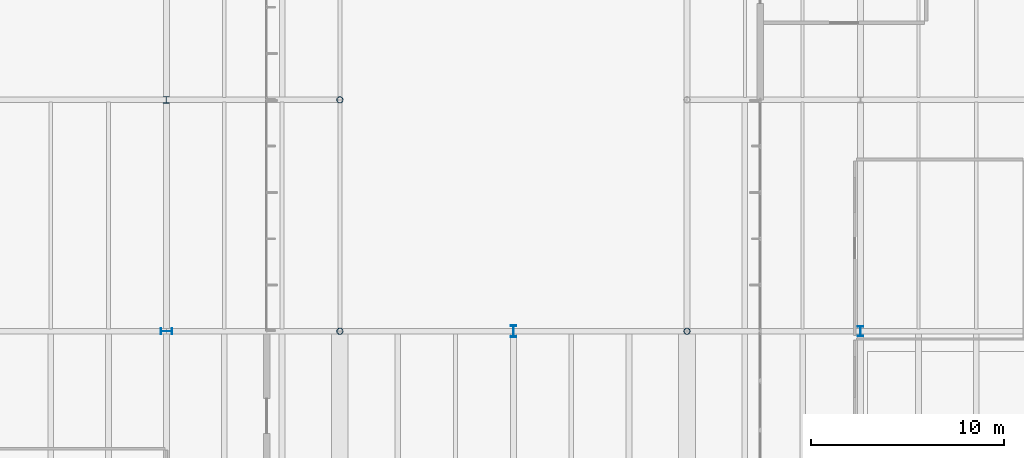
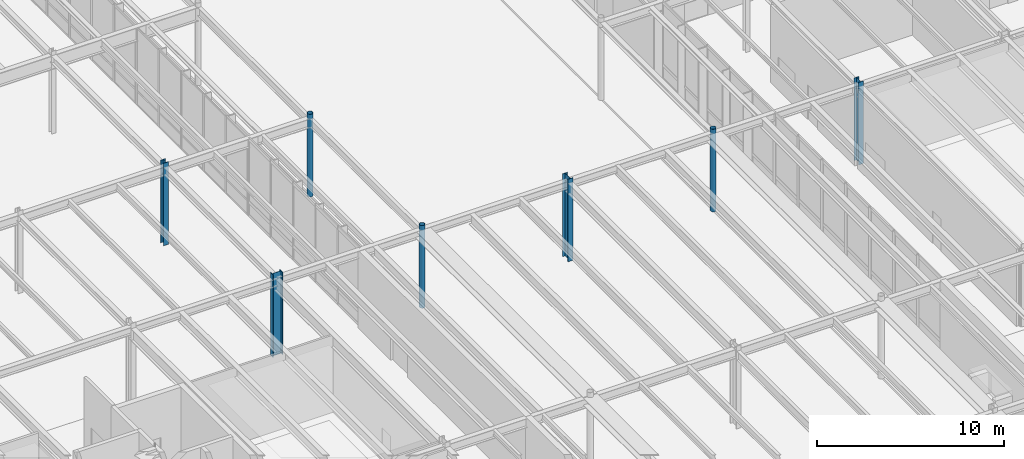
# One storey, part 6 of 143: 7 columns.
"""IFC4 building model written with IfcOpenShell, lengths in metres."""

from ifc_helpers import new_model, si_unit, direction, frame, origin, origin_2d, place, context, subcontext, project, spatial, hollow_circle, i_section, extrude, material, material_profile, profile_set, type_object, element, save


model = new_model("IFC4")

# Units and contexts
model_context = context("Model", 3, precision=1e-05, world=origin(), true_north=direction((0.0, 1.0)))
body_context = subcontext(model_context, "Body", "Model", "MODEL_VIEW")
ifc_project = project(units=[si_unit("LENGTHUNIT", "METRE"), si_unit("AREAUNIT", "SQUARE_METRE"), si_unit("VOLUMEUNIT", "CUBIC_METRE"), si_unit("PLANEANGLEUNIT", "RADIAN"), si_unit("MASSUNIT", "GRAM", prefix="KILO")], contexts=[model_context])

# Site, building, storey
site_placement = place(None, origin())
site = spatial("IfcSite", under=ifc_project, at=site_placement, CompositionType="ELEMENT")
building_placement = place(site_placement, origin())
building = spatial("IfcBuilding", under=site, at=building_placement, Name="Montelvaro Courts of Justice", CompositionType="ELEMENT")
storey_placement = place(building_placement, origin())
storey = spatial("IfcBuildingStorey", under=building, at=storey_placement, Name="L00", CompositionType="ELEMENT", Elevation=0.0)

# Columns
ifc_material = material(Name="Steel S355", Category="steel")
ifc_material_profile_1 = material_profile(ifc_material, hollow_circle(Radius=0.161865234375, WallThickness=0.012451171875, at=origin_2d()), Name="CHS 323.9x12.5")
ifc_profile_set_1 = profile_set([ifc_material_profile_1], Name="Steel S355")
column_type_1 = type_object("IfcColumnType", Name="Col_CHS324", PredefinedType="PILASTER", material=ifc_profile_set_1)
for number, where, z_axis, x_axis, name in (
    (1, (81.0, 42.0, 0.0), (0.0, 0.0, 1.0), (1.0, 0.0, 0.0), "Column C-18 L00 10/D"),
    (2, (81.0, 54.0, 0.0), (0.0, 0.0, 1.0), (1.0, 0.0, 0.0), "Column C-18 L00 10/E"),
    (3, (99.0, 42.0, 0.0), (0.0, 0.0, 1.0), (1.0, 0.0, 0.0), "Column C-18 L00 12/D"),
):
    element("IfcColumn", number, at=place(storey_placement, frame(where, z_axis=z_axis, x_axis=x_axis)), inside=storey, type_object=column_type_1, Name=name, PredefinedType="PILASTER", context=body_context, shape_type="SweptSolid", body=[
        extrude(hollow_circle(Radius=0.161865234375, WallThickness=0.012451171875, at=origin_2d()), origin(), (0.0, 0.0, 1.0), 5.39990234375),
    ])
ifc_material_profile_2 = material_profile(ifc_material, i_section(OverallWidth=0.300048828125, OverallDepth=0.340087890625, WebThickness=0.011962890625, FlangeThickness=0.021484375, at=origin_2d()), Name="HEB 340")
ifc_profile_set_2 = profile_set([ifc_material_profile_2], Name="Steel S355")
column_type_2 = type_object("IfcColumnType", Name="Col_HEB340", PredefinedType="COLUMN", material=ifc_profile_set_2)
column_1_placement = place(storey_placement, frame((72.0, 54.0, 0.0), z_axis=(0.0, 0.0, 1.0), x_axis=(1.0, 0.0, 0.0)))
element("IfcColumn", 4, at=column_1_placement, inside=storey, type_object=column_type_2, Name="Column C-05 L00 9/E", PredefinedType="COLUMN", context=body_context, shape_type="SweptSolid", body=[
    extrude(i_section(OverallWidth=0.300048828125, OverallDepth=0.340087890625, WebThickness=0.011962890625, FlangeThickness=0.021484375, at=origin_2d()), origin(), (0.0, 0.0, 1.0), 5.39990234375),
])
ifc_material_profile_3 = material_profile(ifc_material, i_section(OverallWidth=0.300048828125, OverallDepth=0.5, WebThickness=0.014404296875, FlangeThickness=0.028076171875, at=origin_2d()), Name="HEB 500")
ifc_profile_set_3 = profile_set([ifc_material_profile_3], Name="Steel S355")
column_type_3 = type_object("IfcColumnType", Name="Col_HEB500", PredefinedType="COLUMN", material=ifc_profile_set_3)
column_2_placement = place(storey_placement, frame((108.0, 42.0, 0.0), z_axis=(0.0, 0.0, 1.0), x_axis=(1.0, 0.0, 0.0)))
element("IfcColumn", 5, at=column_2_placement, inside=storey, type_object=column_type_3, Name="Column C-09 L00 13/D", PredefinedType="COLUMN", context=body_context, shape_type="SweptSolid", body=[
    extrude(i_section(OverallWidth=0.300048828125, OverallDepth=0.5, WebThickness=0.014404296875, FlangeThickness=0.028076171875, at=origin_2d()), origin(), (0.0, 0.0, 1.0), 5.39990234375),
])
ifc_material_profile_4 = material_profile(ifc_material, i_section(OverallWidth=0.300048828125, OverallDepth=0.60009765625, WebThickness=0.015380859375, FlangeThickness=0.030029296875, at=origin_2d()), Name="HEB 600")
ifc_profile_set_4 = profile_set([ifc_material_profile_4], Name="Steel S355")
column_type_4 = type_object("IfcColumnType", Name="Col_HEB600", PredefinedType="COLUMN", material=ifc_profile_set_4)
for number, where, z_axis, x_axis, name in (
    (6, (72.0, 42.0, 0.0), (0.0, 0.0, 1.0), (0.0, 1.0, 0.0), "Column C-11 L00 9/D"),
    (7, (90.0, 42.0, 0.0), (0.0, 0.0, 1.0), (1.0, 0.0, 0.0), "Column C-11 L00 11/D"),
):
    element("IfcColumn", number, at=place(storey_placement, frame(where, z_axis=z_axis, x_axis=x_axis)), inside=storey, type_object=column_type_4, Name=name, PredefinedType="COLUMN", context=body_context, shape_type="SweptSolid", body=[
        extrude(i_section(OverallWidth=0.300048828125, OverallDepth=0.60009765625, WebThickness=0.015380859375, FlangeThickness=0.030029296875, at=origin_2d()), origin(), (0.0, 0.0, 1.0), 5.39990234375),
    ])

save(model, "model.ifc")
